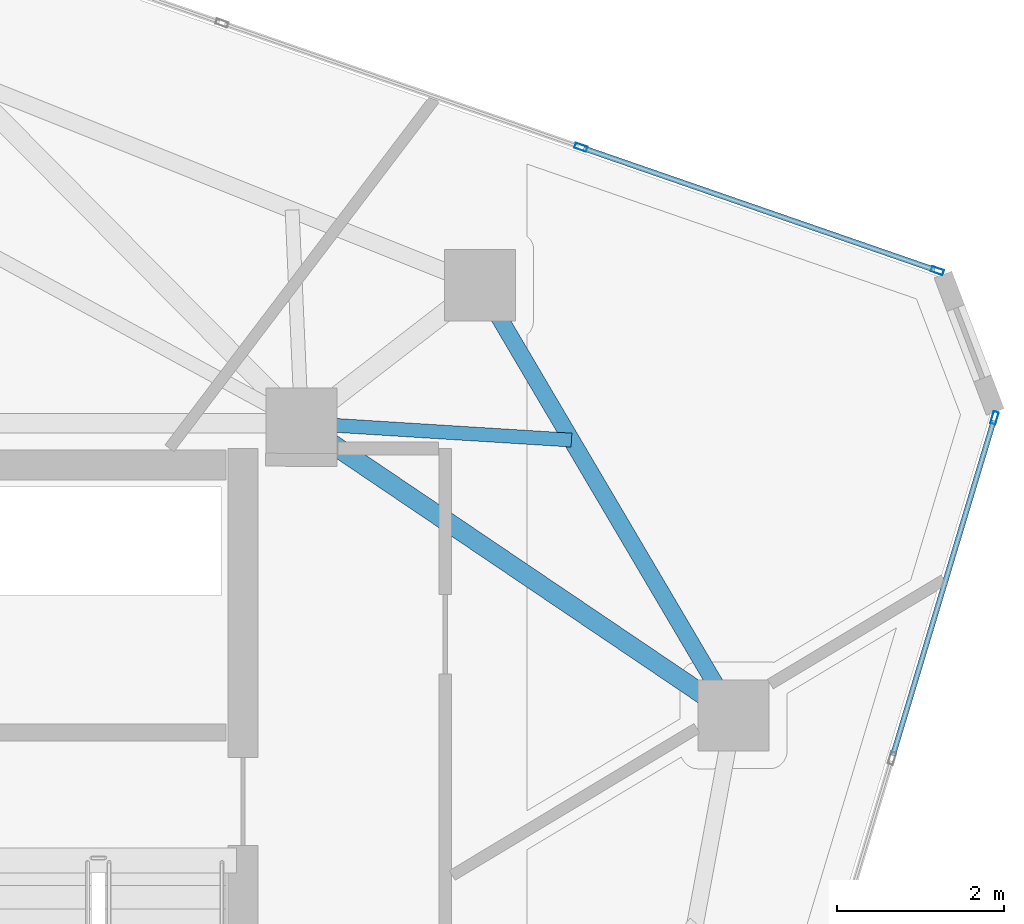
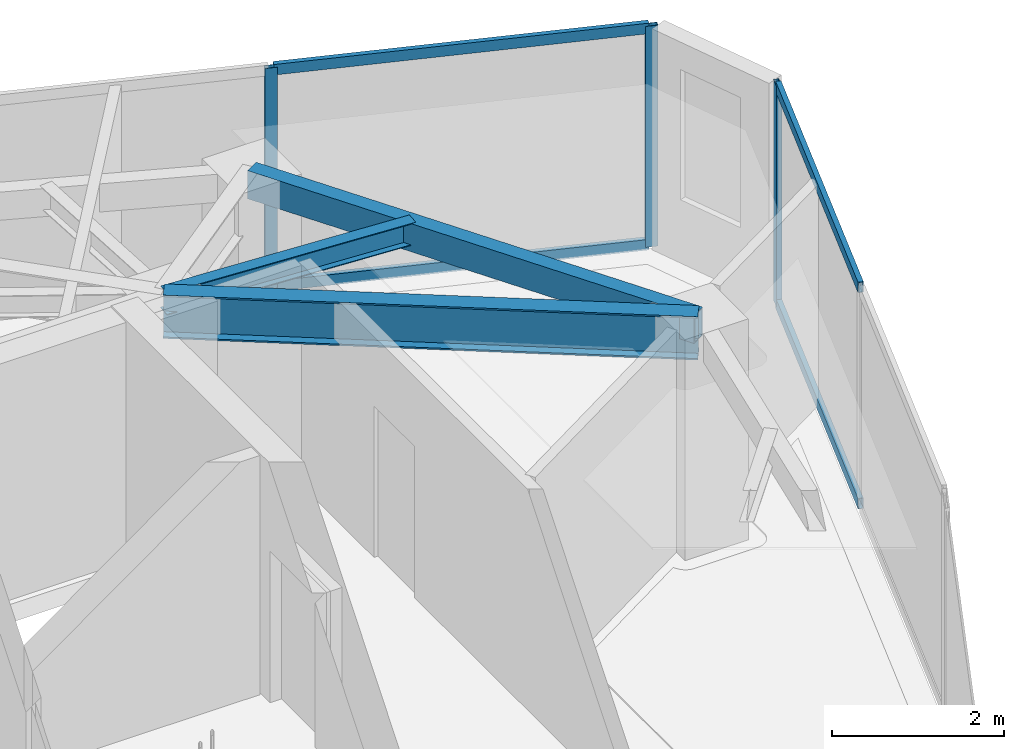
# One storey, part 14 of 20: 7 members, 3 beams, 2 elements without a shape of their own.
"""IFC4 building model written with IfcOpenShell, lengths in metres."""

import ifcopenshell
import ifcopenshell.guid

model = None  # the IFC model being written
_history = None  # IfcOwnerHistory: only IFC2X3 demands one
_inside = {}  # id of a spatial element -> (the spatial element, [elements in it])
_under = {}  # id of a project, library or spatial element -> (it, [spatial elements below it])
_declared = {}  # id of a project -> (the project, [libraries it declares])
_typed = {}  # id of a type object -> (the type object, [elements of that type])
_made_of = {}  # id of a material, layer set ... -> (it, [elements and type objects made of it])


def new_model(schema):
    """Start an empty IFC model of exactly this schema.

    Asked for "IFC4X3", IfcOpenShell would pick the latest addendum, in which some entities
    have other attributes; the version numbers below select the first issue.
    IFC2X3 requires an IfcOwnerHistory on every rooted entity: one is made here for all.
    """
    global model, _history
    if schema == "IFC4X3":
        model = ifcopenshell.file(schema_version=(4, 3, 0, 0))
    else:
        model = ifcopenshell.file(schema=schema)
    _inside.clear()
    _under.clear()
    _declared.clear()
    _typed.clear()
    _made_of.clear()
    _history = None
    if model.schema == "IFC2X3":
        org = make("IfcOrganization", Name="unknown")
        user = make(
            "IfcPersonAndOrganization",
            ThePerson=make("IfcPerson", FamilyName="unknown"),
            TheOrganization=org,
        )
        app = make(
            "IfcApplication",
            ApplicationDeveloper=org,
            Version="unknown",
            ApplicationFullName="unknown",
            ApplicationIdentifier="unknown",
        )
        _history = make(
            "IfcOwnerHistory",
            OwningUser=user,
            OwningApplication=app,
            ChangeAction="ADDED",
            CreationDate=0,
        )
    return model


def make(cls, **values):
    """One entity of the class cls with the attributes given. An attribute that is None is left unset."""
    return model.create_entity(
        cls, **{name: value for name, value in values.items() if value is not None}
    )


def rooted(cls, **values):
    """An entity with a GlobalId (a new one), such as an element, a storey or a relation."""
    return make(cls, GlobalId=ifcopenshell.guid.new(), OwnerHistory=_history, **values)


def si_unit(unit_type, name, prefix=None):
    """IfcSIUnit, for example si_unit("LENGTHUNIT", "METRE", prefix="MILLI")."""
    return make("IfcSIUnit", UnitType=unit_type, Prefix=prefix, Name=name)


def assignment(units):
    """IfcUnitAssignment: the units of a project."""
    return None if units is None else make("IfcUnitAssignment", Units=units)


def point(xyz):
    """IfcCartesianPoint."""
    return None if xyz is None else make("IfcCartesianPoint", Coordinates=xyz)


def direction(xyz):
    """IfcDirection."""
    return None if xyz is None else make("IfcDirection", DirectionRatios=xyz)


def frame(location, z_axis=None, x_axis=None):
    """IfcAxis2Placement3D, a coordinate frame: its origin and axes. An axis left out is left unset."""
    return make(
        "IfcAxis2Placement3D",
        Location=point(location),
        Axis=direction(z_axis),
        RefDirection=direction(x_axis),
    )


def frame_2d(location, x_axis=None):
    """IfcAxis2Placement2D, a coordinate frame in the plane: its origin and x axis."""
    return make(
        "IfcAxis2Placement2D", Location=point(location), RefDirection=direction(x_axis)
    )


def origin():
    """The frame at (0, 0, 0) with its axes left unset."""
    return frame((0.0, 0.0, 0.0))


def origin_2d():
    """The frame at (0, 0) in the plane with its x axis left unset."""
    return frame_2d((0.0, 0.0))


def place(relative_to, where):
    """IfcLocalPlacement: puts the frame where relative to a parent placement (None: the world)."""
    return make(
        "IfcLocalPlacement", PlacementRelTo=relative_to, RelativePlacement=where
    )


def context(
    kind, dimensions, precision=None, world=None, true_north=None, identifier=None
):
    """IfcGeometricRepresentationContext, for example the 3D "Model" context."""
    return make(
        "IfcGeometricRepresentationContext",
        ContextIdentifier=identifier,
        ContextType=kind,
        CoordinateSpaceDimension=dimensions,
        Precision=precision,
        WorldCoordinateSystem=world,
        TrueNorth=true_north,
    )


def subcontext(parent, identifier, kind, view, scale=None):
    """IfcGeometricRepresentationSubContext, for example "Body" below "Model"."""
    return make(
        "IfcGeometricRepresentationSubContext",
        ContextIdentifier=identifier,
        ContextType=kind,
        ParentContext=parent,
        TargetScale=scale,
        TargetView=view,
    )


def project(units=None, contexts=None):
    """IfcProject with its units and contexts."""
    return rooted(
        "IfcProject",
        Name="project",
        RepresentationContexts=contexts,
        UnitsInContext=assignment(units),
    )


def spatial(cls, under=None, at=None, **own):
    """A site, building, storey or space (cls), placed at a placement, below another one or the project."""
    s = rooted(cls, ObjectPlacement=at, **own)
    if under is not None:
        _under.setdefault(under.id(), (under, []))[1].append(s)
    return s


def profile(cls, at=None, kind="AREA", **sizes):
    """A parametric profile (cls). Its sizes go by their IFC names, for example OverallWidth=200.0."""
    return make(cls, ProfileType=kind, Position=at, **sizes)


def hollow_rectangle(**sizes):
    """IfcRectangleHollowProfileDef."""
    return profile("IfcRectangleHollowProfileDef", **sizes)


def i_section(**sizes):
    """IfcIShapeProfileDef."""
    return profile("IfcIShapeProfileDef", **sizes)


def extrude(swept, where, along, depth):
    """IfcExtrudedAreaSolid: the profile swept, set in the frame where, extruded along a direction by depth."""
    return make(
        "IfcExtrudedAreaSolid",
        SweptArea=swept,
        Position=where,
        ExtrudedDirection=direction(along),
        Depth=depth,
    )


def shape(context_of_items, identifier, shape_type, items):
    """IfcShapeRepresentation: the items that make up one representation, for example the "Body"."""
    return make(
        "IfcShapeRepresentation",
        ContextOfItems=context_of_items,
        RepresentationIdentifier=identifier,
        RepresentationType=shape_type,
        Items=items,
    )


def source(mapping_origin, context_of_items, identifier, shape_type, items):
    """IfcRepresentationMap: a shape defined once, which mapped items show again and again."""
    return make(
        "IfcRepresentationMap",
        MappingOrigin=mapping_origin,
        MappedRepresentation=shape(context_of_items, identifier, shape_type, items),
    )


def transform(
    local_origin,
    x_axis=None,
    y_axis=None,
    z_axis=None,
    scale=None,
    scale2=None,
    scale3=None,
    uniform=True,
):
    """IfcCartesianTransformationOperator3D, or its non-uniform kind. x_axis, y_axis, z_axis: its Axis1, 2, 3."""
    if uniform:
        return make(
            "IfcCartesianTransformationOperator3D",
            Axis1=direction(x_axis),
            Axis2=direction(y_axis),
            LocalOrigin=point(local_origin),
            Scale=scale,
            Axis3=direction(z_axis),
        )
    return make(
        "IfcCartesianTransformationOperator3DnonUniform",
        Axis1=direction(x_axis),
        Axis2=direction(y_axis),
        LocalOrigin=point(local_origin),
        Scale=scale,
        Axis3=direction(z_axis),
        Scale2=scale2,
        Scale3=scale3,
    )


def mapped(mapping_source, mapping_target):
    """IfcMappedItem: shows the shape of a source again, moved by a transform."""
    return make(
        "IfcMappedItem", MappingSource=mapping_source, MappingTarget=mapping_target
    )


def material(Name=None, Category=None):
    """IfcMaterial."""
    return make("IfcMaterial", Name=Name, Category=Category)


def layer(
    of_material, thickness, ventilated=None, Name=None, Category=None, Priority=None
):
    """IfcMaterialLayer: one layer of a wall or slab, of a material (None: an air gap)."""
    return make(
        "IfcMaterialLayer",
        Material=of_material,
        LayerThickness=thickness,
        IsVentilated=ventilated,
        Name=Name,
        Category=Category,
        Priority=Priority,
    )


def layer_set(layers, Name=None):
    """IfcMaterialLayerSet."""
    return make("IfcMaterialLayerSet", MaterialLayers=layers, LayerSetName=Name)


def material_profile(
    of_material, cross_section, Name=None, Category=None, Priority=None
):
    """IfcMaterialProfile: a cross section and its material."""
    return make(
        "IfcMaterialProfile",
        Name=Name,
        Material=of_material,
        Profile=cross_section,
        Priority=Priority,
        Category=Category,
    )


def profile_set(profiles, Name=None, composite=None):
    """IfcMaterialProfileSet."""
    return make(
        "IfcMaterialProfileSet",
        Name=Name,
        MaterialProfiles=profiles,
        CompositeProfile=composite,
    )


def made_of(thing, what):
    """Note that an element or type object is made of a material, layer set ...; save() writes the relation."""
    if what is not None:
        _made_of.setdefault(what.id(), (what, []))[1].append(thing)
    return thing


def type_object(cls, material=None, **own):
    """A type object (cls), such as IfcWallType, which elements share."""
    return made_of(rooted(cls, **own), material)


def type_shapes(of_type, sources):
    """Give a type object the sources (RepresentationMaps) that its elements show as mapped items."""
    of_type.RepresentationMaps = sources


def element(
    cls,
    number,
    at=None,
    inside=None,
    cuts=None,
    type_object=None,
    material=None,
    context=None,
    identifier="Body",
    shape_type=None,
    held_by="IfcProductDefinitionShape",
    body=None,
    shapes=None,
    **own,
):
    """One element of the class cls, such as IfcWall. Its Tag is "e" and its number.

    at: its placement. inside: the storey or other place that contains it. cuts: it is an
    opening in that element (IfcRelVoidsElement). A single representation is given by context,
    identifier, shape_type and body (its items); several are given by shapes. held_by: the class
    of the entity that holds the representations. save() writes the other relations.
    """
    e = rooted(cls, Tag="e%d" % number, ObjectPlacement=at, **own)
    if body is not None:
        shapes = [shape(context, identifier, shape_type, body)]
    if shapes is not None:
        e.Representation = make(held_by, Representations=shapes)
    if inside is not None:
        _inside.setdefault(inside.id(), (inside, []))[1].append(e)
    if cuts is not None:
        rooted(
            "IfcRelVoidsElement", RelatingBuildingElement=cuts, RelatedOpeningElement=e
        )
    if type_object is not None:
        _typed.setdefault(type_object.id(), (type_object, []))[1].append(e)
    return made_of(e, material)


def aggregate(whole, parts):
    """IfcRelAggregates: a whole, such as a stair, and the parts it consists of."""
    return rooted("IfcRelAggregates", RelatingObject=whole, RelatedObjects=parts)


def save(model, path):
    """Write the relations noted so far, then the file.

    IfcRelAggregates (storeys below a building ...), IfcRelContainedInSpatialStructure (elements
    in a storey), IfcRelDefinesByType, IfcRelAssociatesMaterial and IfcRelDeclares: one each for
    every whole, place, type object, material and project.
    """
    for whole, parts in _under.values():
        aggregate(whole, parts)
    for where, things in _inside.values():
        rooted(
            "IfcRelContainedInSpatialStructure",
            RelatedElements=things,
            RelatingStructure=where,
        )
    for kind, things in _typed.values():
        rooted("IfcRelDefinesByType", RelatedObjects=things, RelatingType=kind)
    for what, things in _made_of.values():
        rooted("IfcRelAssociatesMaterial", RelatedObjects=things, RelatingMaterial=what)
    for by, libraries in _declared.values():
        rooted("IfcRelDeclares", RelatingContext=by, RelatedDefinitions=libraries)
    model.write(path)


model = new_model("IFC4")

# Units and contexts
model_context = context("Model", 3, precision=1e-05, world=origin(), true_north=direction((0.0, 1.0)))
body_context = subcontext(model_context, "Body", "Model", "MODEL_VIEW")
ifc_project = project(units=[si_unit("LENGTHUNIT", "METRE"), si_unit("AREAUNIT", "SQUARE_METRE"), si_unit("VOLUMEUNIT", "CUBIC_METRE"), si_unit("PLANEANGLEUNIT", "RADIAN"), si_unit("MASSUNIT", "GRAM", prefix="KILO")], contexts=[model_context])

# Site, building, storey
site_placement = place(None, origin())
site = spatial("IfcSite", under=ifc_project, at=site_placement, CompositionType="ELEMENT")
building_placement = place(site_placement, origin())
building = spatial("IfcBuilding", under=site, at=building_placement, Name="Talar Marvaseh", CompositionType="ELEMENT")
storey_placement = place(building_placement, frame((0.0, 0.0, 257.800048828125)))
storey = spatial("IfcBuildingStorey", under=building, at=storey_placement, Name="L68", CompositionType="ELEMENT", Elevation=257.800048828125)

# Beams
ifc_material_1 = material(Name="Steel S355", Category="steel")
ifc_material_profile_1 = material_profile(ifc_material_1, hollow_rectangle(XDim=0.199951171875, YDim=0.39990234375, WallThickness=0.013916015625, at=origin_2d()), Name="RHS400x200x14")
ifc_profile_set_1 = profile_set([ifc_material_profile_1], Name="Steel S355")
beam_type_1 = type_object("IfcBeamType", Name="Zone 3 Perimeter Spandrel Beam RHS400x200x14", PredefinedType="SPANDREL", material=ifc_profile_set_1)
beam_1_placement = place(storey_placement, frame((35.43798828125, 38.551025390625, 2.93994140625), z_axis=(0.507825587611, -0.861459907696, 0.0), x_axis=(0.861459907696, 0.507825587611, 0.0)))
element("IfcBeam", 1, at=beam_1_placement, inside=storey, type_object=beam_type_1, Name="L68 Zone 3 Perimeter Spandrel Beam RHS400x200x14", PredefinedType="SPANDREL", context=body_context, shape_type="SweptSolid", body=[
    extrude(hollow_rectangle(XDim=0.199951171875, YDim=0.39990234375, WallThickness=0.013916015625, at=origin_2d()), origin(), (0.0, 0.0, 1.0), 5.972412109375),
])
ifc_material_profile_2 = material_profile(ifc_material_1, i_section(OverallWidth=0.166015625, OverallDepth=0.31298828125, WebThickness=0.006591796875, FlangeThickness=0.01123046875, at=origin_2d()), Name="W310x45")
ifc_profile_set_2 = profile_set([ifc_material_profile_2], Name="Steel S355")
beam_type_2 = type_object("IfcBeamType", Name="Zone 3 Secondary Floor Joist W310x45", PredefinedType="JOIST", material=ifc_profile_set_2)
beam_2_placement = place(storey_placement, frame((36.52978515625, 36.69873046875, 2.9833984375), z_axis=(-0.998065766367, 0.062166920515, 0.0), x_axis=(-0.062166920515, -0.998065766367, 0.0)))
element("IfcBeam", 2, at=beam_2_placement, inside=storey, type_object=beam_type_2, Name="L68 Zone 3 Secondary Floor Joist W310x45", PredefinedType="JOIST", context=body_context, shape_type="SweptSolid", body=[
    extrude(i_section(OverallWidth=0.166015625, OverallDepth=0.31298828125, WebThickness=0.006591796875, FlangeThickness=0.01123046875, at=origin_2d()), origin(), (0.0, 0.0, 1.0), 3.236083984375),
])
ifc_material_profile_3 = material_profile(ifc_material_1, i_section(OverallWidth=0.22998046875, OverallDepth=0.616943359375, WebThickness=0.01318359375, FlangeThickness=0.022216796875, at=origin_2d()), Name="W610x140")
ifc_profile_set_3 = profile_set([ifc_material_profile_3], Name="Steel S355")
beam_type_3 = type_object("IfcBeamType", Name="Zone 4 Radial Floor Girder W610x140", PredefinedType="BEAM", material=ifc_profile_set_3)
beam_3_placement = place(storey_placement, frame((38.470947265625, 33.406005859375, 2.83154296875), z_axis=(-0.828585535277, 0.559862492698, 0.0), x_axis=(-0.559862492698, -0.828585535277, 0.0)))
element("IfcBeam", 3, at=beam_3_placement, inside=storey, type_object=beam_type_3, Name="L68 Zone 4 Radial Floor Girder W610x140", PredefinedType="BEAM", context=body_context, shape_type="SweptSolid", body=[
    extrude(i_section(OverallWidth=0.22998046875, OverallDepth=0.616943359375, WebThickness=0.01318359375, FlangeThickness=0.022216796875, at=origin_2d()), origin(), (0.0, 0.0, 1.0), 6.24072265625),
])

# Curtain wall, members
ifc_material_2 = material(Name="Architectural Aluminium", Category="aluminium")
ifc_layer = layer(ifc_material_2, 0.179931640625)
ifc_layer_set = layer_set([ifc_layer], Name="Architectural Aluminium")
curtain_wall_type = type_object("IfcCurtainWallType", Name="Unitised High-Wind Sky Curtain Wall Z4", PredefinedType="NOTDEFINED", material=ifc_layer_set)
curtain_wall_1_placement = place(storey_placement, origin())
curtain_wall_1 = element("IfcCurtainWall", 4, at=curtain_wall_1_placement, inside=storey, type_object=curtain_wall_type, Name="L68 Unitised High-Wind Sky Curtain Wall Z4", PredefinedType="NOTDEFINED")
ifc_material_profile_4 = material_profile(ifc_material_2, hollow_rectangle(XDim=0.06494140625, YDim=0.14990234375, WallThickness=0.00390625, at=origin_2d()), Name="RHS150x65x4")
ifc_profile_set_4 = profile_set([ifc_material_profile_4], Name="Architectural Aluminium")
member_type_1 = type_object("IfcMemberType", Name="Unitised Curtain Wall Slim Mullion RHS150x65x4", PredefinedType="MULLION", material=ifc_profile_set_4)
shared_shape_1 = source(origin(), body_context, "Body", "SweptSolid", [
    extrude(hollow_rectangle(XDim=0.06494140625, YDim=0.14990234375, WallThickness=0.00390625, at=origin_2d()), origin(), (0.0, 0.0, 1.0), 3.139892578125),
])
type_shapes(member_type_1, [shared_shape_1])
member_1_placement = place(storey_placement, frame((36.64306640625, 40.200927734375, 0.0), z_axis=(0.0, 0.0, 1.0), x_axis=(0.327150867959, 0.944972121067, 0.0)))
member_1 = element("IfcMember", 5, at=member_1_placement, type_object=member_type_1, Name="CW-Z4 mullion 3", PredefinedType="MULLION", context=body_context, shape_type="MappedRepresentation", body=[
    mapped(shared_shape_1, transform((0.0, 0.0, 0.0), x_axis=(1.0, 0.0, 0.0), y_axis=(0.0, 1.0, 0.0), z_axis=(0.0, 0.0, 1.0), scale=1.0)),
])
member_2_placement = place(storey_placement, frame((40.9072265625, 38.724609375, 0.0), z_axis=(0.0, 0.0, 1.0), x_axis=(0.327150867959, 0.944972121067, 0.0)))
member_2 = element("IfcMember", 6, at=member_2_placement, type_object=member_type_1, Name="CW-Z4 mullion 4", PredefinedType="MULLION", context=body_context, shape_type="MappedRepresentation", body=[
    mapped(shared_shape_1, transform((0.0, 0.0, 0.0), x_axis=(1.0, 0.0, 0.0), y_axis=(0.0, 1.0, 0.0), z_axis=(0.0, 0.0, 1.0), scale=1.0)),
])

# Curtain wall, member
curtain_wall_2_placement = place(storey_placement, origin())
curtain_wall_2 = element("IfcCurtainWall", 7, at=curtain_wall_2_placement, inside=storey, type_object=curtain_wall_type, Name="L68 Unitised High-Wind Sky Curtain Wall Z4", PredefinedType="NOTDEFINED")
member_3_placement = place(storey_placement, frame((41.59130859375, 36.965576171875, 0.0), z_axis=(0.0, 0.0, 1.0), x_axis=(0.957526215299, -0.288346227677, 0.0)))
member_3 = element("IfcMember", 8, at=member_3_placement, type_object=member_type_1, Name="CW-Z4 mullion 1", PredefinedType="MULLION", context=body_context, shape_type="MappedRepresentation", body=[
    mapped(shared_shape_1, transform((0.0, 0.0, 0.0), x_axis=(1.0, 0.0, 0.0), y_axis=(0.0, 1.0, 0.0), z_axis=(0.0, 0.0, 1.0), scale=1.0)),
])

# Member
ifc_material_profile_5 = material_profile(ifc_material_2, hollow_rectangle(XDim=0.06494140625, YDim=0.14990234375, WallThickness=0.00390625, at=origin_2d()), Name="RHS150x65x4")
ifc_profile_set_5 = profile_set([ifc_material_profile_5], Name="Architectural Aluminium")
member_type_2 = type_object("IfcMemberType", Name="Unitised Curtain Wall Slim Transom RHS150x65x4", PredefinedType="USERDEFINED", material=ifc_profile_set_5)
shared_shape_2 = source(origin(), body_context, "Body", "SweptSolid", [
    extrude(hollow_rectangle(XDim=0.06494140625, YDim=0.14990234375, WallThickness=0.00390625, at=origin_2d()), origin(), (0.0, 0.0, 1.0), 4.447265625),
])
member_4_placement = place(storey_placement, frame((36.673828125, 40.190185546875, 0.032470703125), z_axis=(0.94498085203, -0.327125647569, 0.0), x_axis=(0.327125647569, 0.94498085203, 0.0)))
member_4 = element("IfcMember", 9, at=member_4_placement, type_object=member_type_2, Name="CW-Z4 transom 3.1", ObjectType="TRANSOM", PredefinedType="USERDEFINED", context=body_context, shape_type="MappedRepresentation", body=[
    mapped(shared_shape_2, transform((0.0, 0.0, 0.0), x_axis=(1.0, 0.0, 0.0), y_axis=(0.0, 1.0, 0.0), z_axis=(0.0, 0.0, 1.0), scale=1.0)),
])

member_5_placement = place(storey_placement, frame((36.673828125, 40.190185546875, 3.107421875), z_axis=(0.94498085203, -0.327125647569, 0.0), x_axis=(0.327125647569, 0.94498085203, 0.0)))
member_5 = element("IfcMember", 10, at=member_5_placement, type_object=member_type_2, Name="CW-Z4 transom 3.2", ObjectType="TRANSOM", PredefinedType="USERDEFINED", context=body_context, shape_type="MappedRepresentation", body=[
    mapped(shared_shape_2, transform((0.0, 0.0, 0.0), x_axis=(1.0, 0.0, 0.0), y_axis=(0.0, 1.0, 0.0), z_axis=(0.0, 0.0, 1.0), scale=1.0)),
])

aggregate(curtain_wall_1, [member_1, member_2, member_4, member_5])

shared_shape_3 = source(origin(), body_context, "Body", "SweptSolid", [
    extrude(hollow_rectangle(XDim=0.06494140625, YDim=0.14990234375, WallThickness=0.00390625, at=origin_2d()), origin(), (0.0, 0.0, 1.0), 4.188720703125),
])
type_shapes(member_type_2, [shared_shape_2, shared_shape_3])
member_6_placement = place(storey_placement, frame((41.58203125, 36.9345703125, 0.032470703125), z_axis=(-0.288342340953, -0.957527385725, 0.0), x_axis=(0.957527385725, -0.288342340953, 0.0)))
member_6 = element("IfcMember", 11, at=member_6_placement, type_object=member_type_2, Name="CW-Z4 transom 1.1", ObjectType="TRANSOM", PredefinedType="USERDEFINED", context=body_context, shape_type="MappedRepresentation", body=[
    mapped(shared_shape_3, transform((0.0, 0.0, 0.0), x_axis=(1.0, 0.0, 0.0), y_axis=(0.0, 1.0, 0.0), z_axis=(0.0, 0.0, 1.0), scale=1.0)),
])

member_7_placement = place(storey_placement, frame((41.58203125, 36.9345703125, 3.107421875), z_axis=(-0.288342340953, -0.957527385725, 0.0), x_axis=(0.957527385725, -0.288342340953, 0.0)))
member_7 = element("IfcMember", 12, at=member_7_placement, type_object=member_type_2, Name="CW-Z4 transom 1.2", ObjectType="TRANSOM", PredefinedType="USERDEFINED", context=body_context, shape_type="MappedRepresentation", body=[
    mapped(shared_shape_3, transform((0.0, 0.0, 0.0), x_axis=(1.0, 0.0, 0.0), y_axis=(0.0, 1.0, 0.0), z_axis=(0.0, 0.0, 1.0), scale=1.0)),
])

aggregate(curtain_wall_2, [member_3, member_6, member_7])

save(model, "model.ifc")
